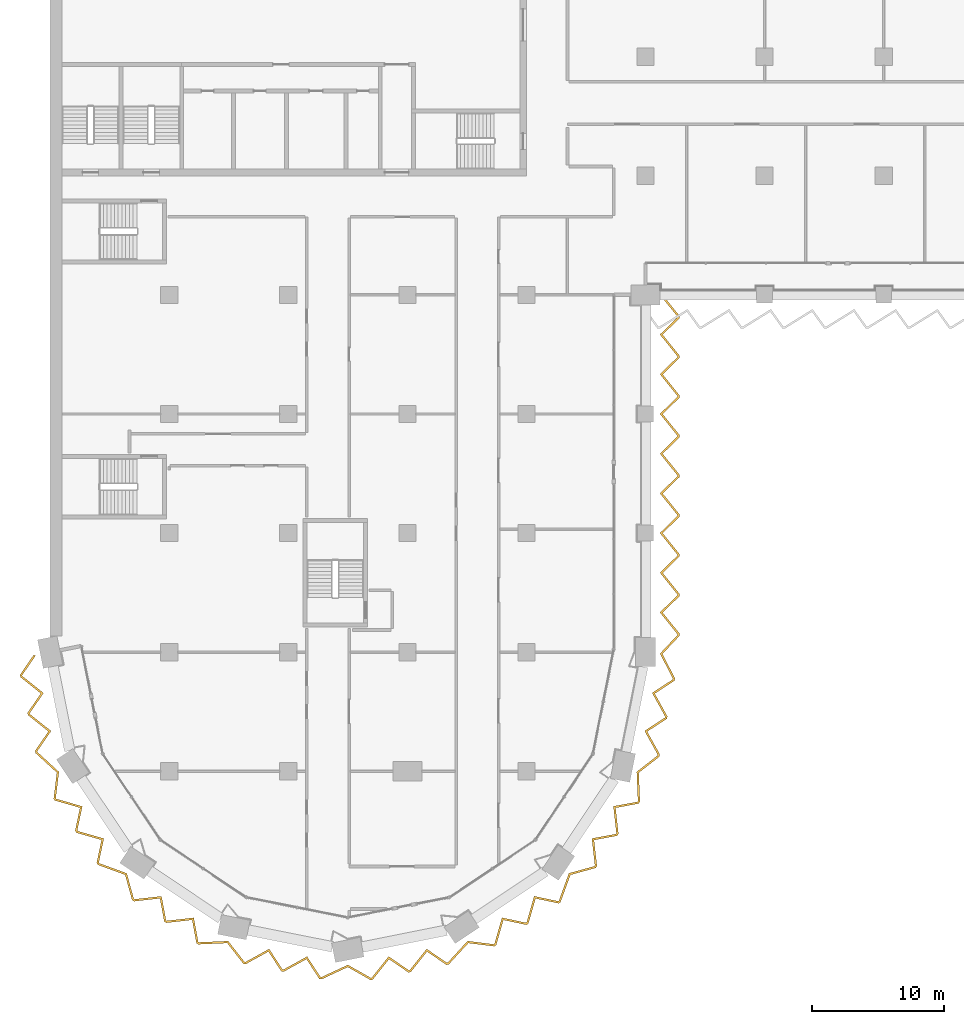
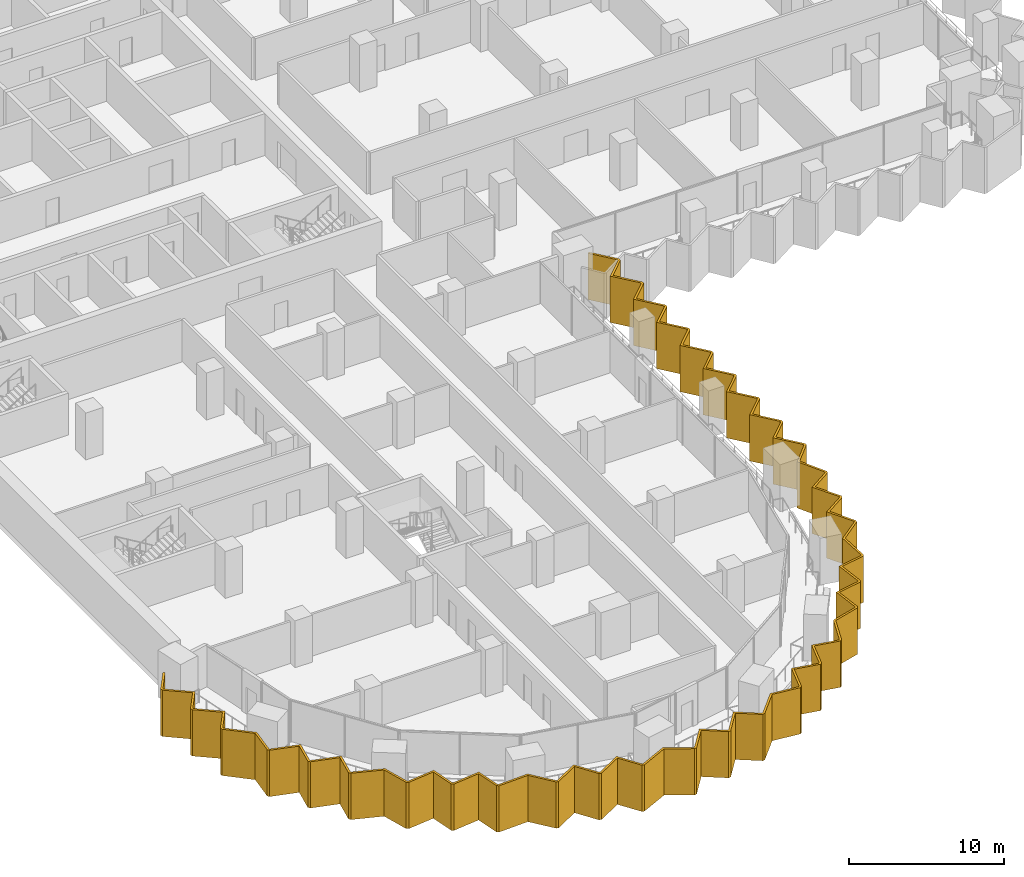
# One storey, part 18 of 22: 1 shading device.
"""IFC4 building model written with IfcOpenShell, lengths in metres."""

from ifc_helpers import new_model, si_unit, direction, frame, origin, place, context, subcontext, project, spatial, polyline, outline, extrude, material, layer, layer_set, type_object, element, save


model = new_model("IFC4")

# Units and contexts
model_context = context("Model", 3, precision=1e-05, world=origin(), true_north=direction((0.0, 1.0)))
body_context = subcontext(model_context, "Body", "Model", "MODEL_VIEW")
ifc_project = project(units=[si_unit("LENGTHUNIT", "METRE"), si_unit("AREAUNIT", "SQUARE_METRE"), si_unit("VOLUMEUNIT", "CUBIC_METRE"), si_unit("PLANEANGLEUNIT", "RADIAN"), si_unit("MASSUNIT", "GRAM", prefix="KILO")], contexts=[model_context])

# Site, building, storey
site_placement = place(None, origin())
site = spatial("IfcSite", under=ifc_project, at=site_placement, CompositionType="ELEMENT")
building_placement = place(site_placement, origin())
building = spatial("IfcBuilding", under=site, at=building_placement, Name="Hunhe Ridgeline Campus", CompositionType="ELEMENT")
storey_placement = place(building_placement, frame((0.0, 0.0, 88.5)))
storey = spatial("IfcBuildingStorey", under=building, at=storey_placement, Name="L21", CompositionType="ELEMENT", Elevation=88.5)

# Shading device
ifc_material = material(Name="Concrete C50", Category="concrete")
ifc_layer = layer(ifc_material, 0.14990234375)
ifc_layer_set = layer_set([ifc_layer], Name="Sawtooth concrete fin 150 Concrete C50")
shading_device_type = type_object("IfcShadingDeviceType", Name="Sawtooth concrete fin 150 Concrete C50", PredefinedType="USERDEFINED", material=ifc_layer_set)
shading_device_placement = place(storey_placement, frame((0.0, 0.0, -0.949951171875)))
element("IfcShadingDevice", 1, at=shading_device_placement, inside=storey, type_object=shading_device_type, Name="Concrete fin screen 1", ObjectType="FIN", PredefinedType="USERDEFINED", context=body_context, shape_type="SweptSolid", body=[
    extrude(outline(polyline([(-1.104248046875, 26.7255859375), (-1.227783203125, 26.810546875), (-2.2734375, 25.28759765625), (-2.238525390625, 25.112060546875), (-0.696533203125, 23.8828125), (-1.70263671875, 22.41748046875), (-1.667724609375, 22.241943359375), (-0.12548828125, 21.0126953125), (-1.131591796875, 19.54736328125), (-1.097412109375, 19.374755859375), (0.513671875, 17.896728515625), (0.26953125, 15.9345703125), (0.366943359375, 15.788818359375), (2.26220703125, 15.2431640625), (1.893310546875, 13.50439453125), (1.992919921875, 13.35546875), (3.887939453125, 12.81005859375), (3.51904296875, 11.0712890625), (3.616943359375, 10.9248046875), (5.6708984375, 10.17578125), (6.1962890625, 8.26953125), (6.34228515625, 8.172119140625), (8.3017578125, 8.3935546875), (8.62646484375, 6.64599609375), (8.775390625, 6.54638671875), (10.73486328125, 6.767578125), (11.0595703125, 5.02001953125), (11.2060546875, 4.92236328125), (13.390380859375, 5.01611328125), (14.605224609375, 3.456298828125), (14.777099609375, 3.422119140625), (16.5029296875, 4.37646484375), (17.4716796875, 2.885986328125), (17.647216796875, 2.85107421875), (19.373046875, 3.805419921875), (20.341796875, 2.315185546875), (20.5146484375, 2.28076171875), (22.49658203125, 3.20361328125), (24.216064453125, 2.227294921875), (24.387939453125, 2.261474609375), (25.6171875, 3.803466796875), (27.08251953125, 2.79736328125), (27.258056640625, 2.832275390625), (28.4873046875, 4.37451171875), (29.95263671875, 3.368408203125), (30.125244140625, 3.402587890625), (31.603271484375, 5.013671875), (33.5654296875, 4.76953125), (33.711181640625, 4.866943359375), (34.2568359375, 6.76220703125), (35.99560546875, 6.393310546875), (36.14453125, 6.492919921875), (36.68994140625, 8.387939453125), (38.4287109375, 8.01904296875), (38.5751953125, 8.116943359375), (39.32421875, 10.1708984375), (41.23046875, 10.6962890625), (41.327880859375, 10.84228515625), (41.1064453125, 12.8017578125), (42.85400390625, 13.12646484375), (42.95361328125, 13.275390625), (42.732421875, 15.23486328125), (44.47998046875, 15.5595703125), (44.57763671875, 15.7060546875), (44.48388671875, 17.890380859375), (46.043701171875, 19.105224609375), (46.077880859375, 19.277099609375), (45.12353515625, 21.0029296875), (46.614013671875, 21.9716796875), (46.64892578125, 22.147216796875), (45.694580078125, 23.873046875), (47.184814453125, 24.841796875), (47.219482421875, 25.015869140625), (46.279541015625, 26.869873046875), (47.56396484375, 28.23779296875), (47.56396484375, 28.4140625), (46.2900390625, 29.993896484375), (47.56396484375, 31.23583984375), (47.56396484375, 31.4140625), (46.2900390625, 32.993896484375), (47.56396484375, 34.23583984375), (47.56396484375, 34.4140625), (46.2900390625, 35.993896484375), (47.56396484375, 37.23583984375), (47.56396484375, 37.4140625), (46.2900390625, 38.993896484375), (47.56396484375, 40.23583984375), (47.56396484375, 40.4140625), (46.2900390625, 41.993896484375), (47.56396484375, 43.23583984375), (47.56396484375, 43.4140625), (46.2900390625, 44.993896484375), (47.56396484375, 46.23583984375), (47.56396484375, 46.4140625), (46.2900390625, 47.993896484375), (47.56396484375, 49.23583984375), (47.56396484375, 49.4140625), (46.2900390625, 50.993896484375), (47.56396484375, 52.23583984375), (47.56396484375, 52.4140625), (46.247314453125, 54.047119140625), (46.13037109375, 53.952880859375), (47.413818359375, 52.361083984375), (47.413818359375, 52.299072265625), (46.087646484375, 51.006103515625), (47.413818359375, 49.361083984375), (47.413818359375, 49.299072265625), (46.087646484375, 48.006103515625), (47.413818359375, 46.361083984375), (47.413818359375, 46.299072265625), (46.087646484375, 45.006103515625), (47.413818359375, 43.361083984375), (47.413818359375, 43.299072265625), (46.087646484375, 42.006103515625), (47.413818359375, 40.361083984375), (47.413818359375, 40.299072265625), (46.087646484375, 39.006103515625), (47.413818359375, 37.361083984375), (47.413818359375, 37.299072265625), (46.087646484375, 36.006103515625), (47.413818359375, 34.361083984375), (47.413818359375, 34.299072265625), (46.087646484375, 33.006103515625), (47.413818359375, 31.361083984375), (47.413818359375, 31.299072265625), (46.087646484375, 30.006103515625), (47.413818359375, 28.361083984375), (47.413818359375, 28.297119140625), (46.09814453125, 26.89599609375), (47.062255859375, 24.994384765625), (47.050048828125, 24.93310546875), (45.49560546875, 23.9228515625), (46.490966796875, 22.122802734375), (46.47900390625, 22.06298828125), (44.9248046875, 21.052734375), (45.920166015625, 19.252685546875), (45.907470703125, 19.189208984375), (44.33056640625, 17.961181640625), (44.42578125, 15.748779296875), (44.390380859375, 15.695556640625), (42.567626953125, 15.35693359375), (42.79833984375, 13.31298828125), (42.764404296875, 13.262451171875), (40.94189453125, 12.923828125), (41.172607421875, 10.8798828125), (41.13671875, 10.826171875), (39.209716796875, 10.294921875), (38.451171875, 8.214599609375), (38.39794921875, 8.178955078125), (36.58447265625, 8.563720703125), (36.015380859375, 6.587158203125), (35.96484375, 6.55322265625), (34.1513671875, 6.937744140625), (33.582275390625, 4.961181640625), (33.528564453125, 4.92529296875), (31.545166015625, 5.172119140625), (30.0478515625, 3.540283203125), (29.9853515625, 3.52783203125), (28.45703125, 4.5771484375), (27.175048828125, 2.96875), (27.115234375, 2.956787109375), (25.5869140625, 4.00634765625), (24.304931640625, 2.39794921875), (24.241455078125, 2.38525390625), (22.50341796875, 3.3720703125), (20.495849609375, 2.4375), (20.43310546875, 2.449951171875), (19.4228515625, 4.00439453125), (17.622802734375, 3.009033203125), (17.56298828125, 3.02099609375), (16.552734375, 4.5751953125), (14.752685546875, 3.579833984375), (14.689208984375, 3.592529296875), (13.461181640625, 5.16943359375), (11.248779296875, 5.07421875), (11.195556640625, 5.109619140625), (10.85693359375, 6.932373046875), (8.81298828125, 6.70166015625), (8.762451171875, 6.735595703125), (8.423828125, 8.55810546875), (6.3798828125, 8.327392578125), (6.326171875, 8.36328125), (5.794921875, 10.290283203125), (3.714599609375, 11.048828125), (3.678955078125, 11.10205078125), (4.063720703125, 12.91552734375), (2.087158203125, 13.484619140625), (2.05322265625, 13.53515625), (2.437744140625, 15.3486328125), (0.461181640625, 15.917724609375), (0.42529296875, 15.971435546875), (0.672119140625, 17.954833984375), (-0.959716796875, 19.4521484375), (-0.97216796875, 19.5146484375), (0.0771484375, 21.04296875), (-1.53125, 22.324951171875), (-1.543212890625, 22.384765625), (-0.49365234375, 23.9130859375), (-2.10205078125, 25.195068359375), (-2.114013671875, 25.2548828125), (-1.104248046875, 26.7255859375)])), origin(), (0.0, 0.0, 1.0), 3.64990234375),
])

save(model, "model.ifc")
